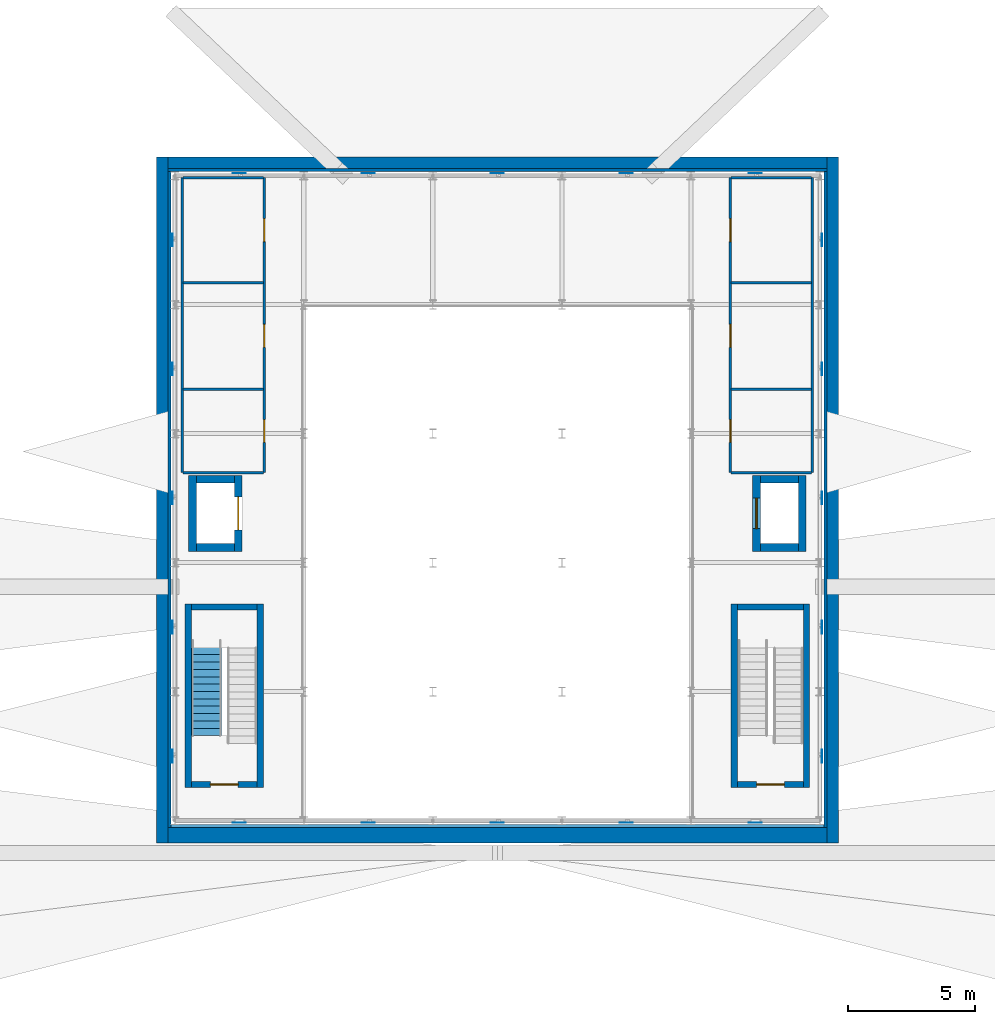
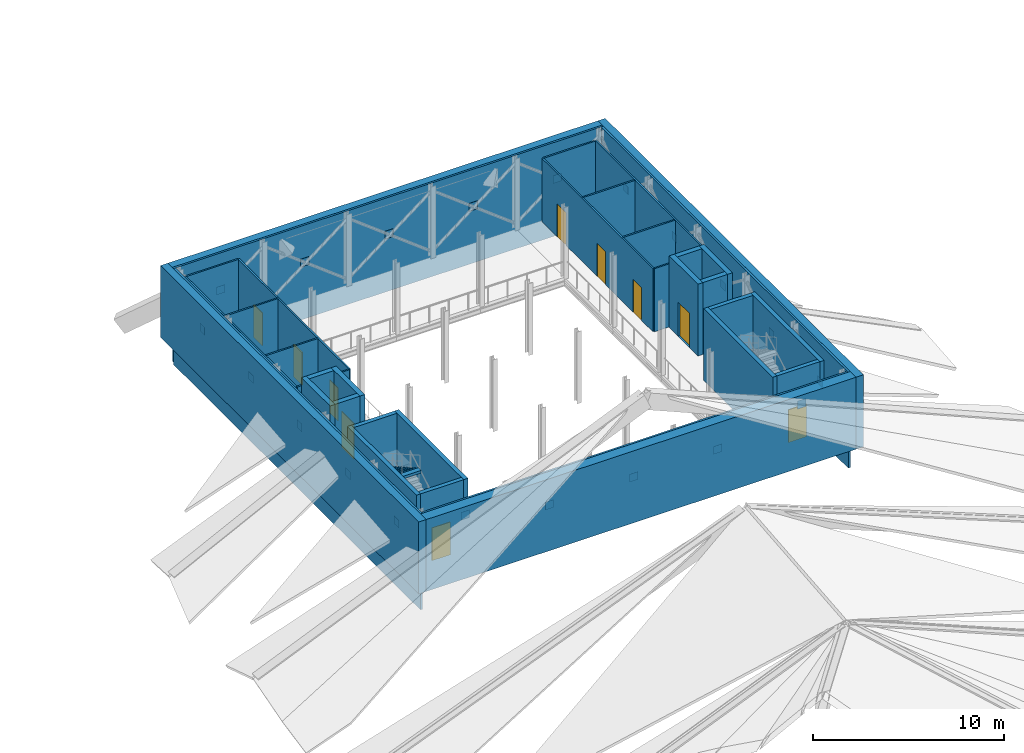
# One storey, part 5 of 7: 36 walls, 20 plates, 10 doors, 1 stair flight, 10 openings, 1 element without a shape of its own.
"""IFC4 building model written with IfcOpenShell, lengths in metres."""

from ifc_helpers import new_model, si_unit, direction, frame, frame_2d, origin, origin_2d, place, context, subcontext, project, spatial, polyline, rectangle, outline, extrude, material, layer, layer_set, type_object, element, fill, aggregate, save


model = new_model("IFC4")

# Units and contexts
model_context = context("Model", 3, precision=1e-05, world=origin(), true_north=direction((0.0, 1.0)))
body_context = subcontext(model_context, "Body", "Model", "MODEL_VIEW")
ifc_project = project(units=[si_unit("LENGTHUNIT", "METRE"), si_unit("AREAUNIT", "SQUARE_METRE"), si_unit("VOLUMEUNIT", "CUBIC_METRE"), si_unit("PLANEANGLEUNIT", "RADIAN"), si_unit("MASSUNIT", "GRAM", prefix="KILO")], contexts=[model_context])

# Site, building, storey
site_placement = place(None, origin())
site = spatial("IfcSite", under=ifc_project, at=site_placement, CompositionType="ELEMENT")
building_placement = place(site_placement, origin())
building = spatial("IfcBuilding", under=site, at=building_placement, Name="Tide Square Theatres", CompositionType="ELEMENT")
storey_placement = place(building_placement, frame((0.0, 0.0, 19.39990234375)))
storey = spatial("IfcBuildingStorey", under=building, at=storey_placement, Name="L04", CompositionType="ELEMENT", Elevation=19.39990234375)

# Plates
ifc_material_1 = material(Name="Steel ASTM A572 Grade 50", Category="steel")
ifc_layer_1 = layer(ifc_material_1, 0.010009765625)
ifc_layer_set_1 = layer_set([ifc_layer_1], Name="Steel ASTM A572 Grade 50")
plate_type = type_object("IfcPlateType", Name="Steel end plate 10 thick", PredefinedType="USERDEFINED", material=ifc_layer_set_1)
for number, where, z_axis, x_axis, name in (
    (1, (73.82080078125, 56.18896484375, 3.172607421875), (0.0, 0.0, 1.0), (0.0, -1.0, 0.0), "Fly tower brace crossing node plate"),
    (2, (78.910400390625, 56.18896484375, 2.047607421875), (0.0, 0.0, 1.0), (0.0, -1.0, 0.0), "Fly tower brace crossing node plate"),
    (3, (84.0, 56.18896484375, 2.047607421875), (0.0, 0.0, 1.0), (0.0, -1.0, 0.0), "Fly tower brace crossing node plate"),
    (4, (89.089599609375, 56.18896484375, 2.047607421875), (0.0, 0.0, 1.0), (0.0, -1.0, 0.0), "Fly tower brace crossing node plate"),
    (5, (94.17919921875, 56.18896484375, 3.172607421875), (0.0, 0.0, 1.0), (0.0, -1.0, 0.0), "Fly tower brace crossing node plate"),
    (6, (73.82080078125, 81.81103515625, 2.047607421875), (0.0, 0.0, 1.0), (0.0, 1.0, 0.0), "Fly tower brace crossing node plate"),
    (7, (78.910400390625, 81.81103515625, 2.047607421875), (0.0, 0.0, 1.0), (0.0, 1.0, 0.0), "Fly tower brace crossing node plate"),
    (8, (84.0, 81.81103515625, 2.047607421875), (0.0, 0.0, 1.0), (0.0, 1.0, 0.0), "Fly tower brace crossing node plate"),
    (9, (89.089599609375, 81.81103515625, 2.047607421875), (0.0, 0.0, 1.0), (0.0, 1.0, 0.0), "Fly tower brace crossing node plate"),
    (10, (94.17919921875, 81.81103515625, 2.047607421875), (0.0, 0.0, 1.0), (0.0, 1.0, 0.0), "Fly tower brace crossing node plate"),
    (11, (71.18896484375, 58.82080078125, 2.047607421875), (0.0, 0.0, 1.0), (-1.0, 0.0, 0.0), "Fly tower brace crossing node plate"),
    (12, (71.18896484375, 63.910400390625, 2.047607421875), (0.0, 0.0, 1.0), (-1.0, 0.0, 0.0), "Fly tower brace crossing node plate"),
    (13, (71.18896484375, 69.0, 2.047607421875), (0.0, 0.0, 1.0), (-1.0, 0.0, 0.0), "Fly tower brace crossing node plate"),
    (14, (71.18896484375, 74.089599609375, 2.047607421875), (0.0, 0.0, 1.0), (-1.0, 0.0, 0.0), "Fly tower brace crossing node plate"),
    (15, (71.18896484375, 79.17919921875, 2.047607421875), (0.0, 0.0, 1.0), (-1.0, 0.0, 0.0), "Fly tower brace crossing node plate"),
    (16, (96.81103515625, 58.82080078125, 2.047607421875), (0.0, 0.0, 1.0), (1.0, 0.0, 0.0), "Fly tower brace crossing node plate"),
    (17, (96.81103515625, 63.910400390625, 2.047607421875), (0.0, 0.0, 1.0), (1.0, 0.0, 0.0), "Fly tower brace crossing node plate"),
    (18, (96.81103515625, 69.0, 2.047607421875), (0.0, 0.0, 1.0), (1.0, 0.0, 0.0), "Fly tower brace crossing node plate"),
    (19, (96.81103515625, 74.089599609375, 2.047607421875), (0.0, 0.0, 1.0), (1.0, 0.0, 0.0), "Fly tower brace crossing node plate"),
    (20, (96.81103515625, 79.17919921875, 2.047607421875), (0.0, 0.0, 1.0), (1.0, 0.0, 0.0), "Fly tower brace crossing node plate"),
):
    element("IfcPlate", number, at=place(storey_placement, frame(where, z_axis=z_axis, x_axis=x_axis)), inside=storey, type_object=plate_type, Name=name, ObjectType="END PLATE", PredefinedType="USERDEFINED", context=body_context, shape_type="SweptSolid", body=[
        extrude(rectangle(XDim=0.010009765625, YDim=0.5048828125, at=origin_2d()), origin(), (0.0, 0.0, 1.0), 0.5048828125),
    ])

# Walls
ifc_material_2 = material(Name="Insulated metal panel, galvanised steel faces ASTM A653 SS Grade 340", Category="steel")
ifc_layer_2 = layer(ifc_material_2, 0.1201171875)
ifc_layer_set_2 = layer_set([ifc_layer_2], Name="Insulated metal panel, galvanised steel faces ASTM A653 SS Grade 340")
wall_type_1 = type_object("IfcWallType", Name="Insulated cladding wall 120 thick", PredefinedType="STANDARD", material=ifc_layer_set_2)
for number, where, z_axis, x_axis, name in (
    (21, (71.06005859375, 56.0, -1.539794921875), (0.0, 0.0, 1.0), (0.0, 1.0, 0.0), "Fly tower cladding wall"),
    (22, (96.93994140625, 56.0, -1.539794921875), (0.0, 0.0, 1.0), (0.0, 1.0, 0.0), "Fly tower cladding wall"),
):
    element("IfcWall", number, at=place(storey_placement, frame(where, z_axis=z_axis, x_axis=x_axis)), inside=storey, type_object=wall_type_1, Name=name, PredefinedType="STANDARD", context=body_context, shape_type="SweptSolid", body=[
        extrude(rectangle(XDim=25.8798828125, YDim=0.1201171875, at=frame_2d((12.93994140625, 0.0))), origin(), (0.0, 0.0, 1.0), 6.139892578125),
    ])
wall_1_placement = place(storey_placement, frame((71.1201171875, 56.06005859375, 2.7412109375), z_axis=(0.0, 0.0, 1.0), x_axis=(1.0, 0.0, 0.0)))
element("IfcWall", 23, at=wall_1_placement, inside=storey, type_object=wall_type_1, Name="Fly tower cladding wall", PredefinedType="STANDARD", context=body_context, shape_type="SweptSolid", body=[
    extrude(rectangle(XDim=25.759765625, YDim=0.1201171875, at=frame_2d((12.8798828125, 0.0))), origin(), (0.0, 0.0, 1.0), 1.85888671875),
])
wall_2_placement = place(storey_placement, frame((71.0, 81.93994140625, -1.39501953125), z_axis=(0.0, 0.0, 1.0), x_axis=(1.0, 0.0, 0.0)))
element("IfcWall", 24, at=wall_2_placement, inside=storey, type_object=wall_type_1, Name="Fly tower cladding wall", PredefinedType="STANDARD", context=body_context, shape_type="SweptSolid", body=[
    extrude(rectangle(XDim=26.0, YDim=0.1201171875, at=frame_2d((13.0, 0.0))), origin(), (0.0, 0.0, 1.0), 5.9951171875),
])
ifc_material_3 = material(Name="Gypsum board on steel studs", Category="steel")
ifc_layer_3 = layer(ifc_material_3, 0.10009765625)
ifc_layer_set_3 = layer_set([ifc_layer_3], Name="Gypsum board on steel studs")
wall_type_2 = type_object("IfcWallType", Name="Partition 100 thick", PredefinedType="PARTITIONING", material=ifc_layer_set_3)
wall_3_placement = place(storey_placement, frame((71.575927734375, 70.0, 0.0), z_axis=(0.0, 0.0, 1.0), x_axis=(0.0, 1.0, 0.0)))
element("IfcWall", 25, at=wall_3_placement, inside=storey, type_object=wall_type_2, Name="Partition", PredefinedType="PARTITIONING", context=body_context, shape_type="SweptSolid", body=[
    extrude(rectangle(XDim=11.64404296875, YDim=0.10009765625, at=frame_2d((5.822021484375, 0.0))), origin(), (0.0, 0.0, 1.0), 4.0400390625),
])

# Wall, openings, doors
wall_4_placement = place(storey_placement, frame((74.805908203125, 70.0, 0.0), z_axis=(0.0, 0.0, 1.0), x_axis=(0.0, 1.0, 0.0)))
wall_4 = element("IfcWall", 26, at=wall_4_placement, inside=storey, type_object=wall_type_2, Name="Partition", PredefinedType="PARTITIONING", context=body_context, shape_type="SweptSolid", body=[
    extrude(rectangle(XDim=11.64404296875, YDim=0.10009765625, at=frame_2d((5.822021484375, 0.0))), origin(), (0.0, 0.0, 1.0), 4.0400390625),
])
opening_1_placement = place(wall_4_placement, frame((1.199951171875, 0.0, 0.0)))
opening_1 = element("IfcOpeningElement", 27, at=opening_1_placement, cuts=wall_4, Name="Opening T04-03", PredefinedType="OPENING", context=body_context, shape_type="SweptSolid", body=[
    extrude(rectangle(XDim=0.89990234375, YDim=2.10009765625, at=frame_2d((0.449951171875, 1.050048828125))), frame((0.0, 0.06005859375, 0.0), z_axis=(0.0, -1.0, 0.0), x_axis=(1.0, 0.0, 0.0)), (0.0, 0.0, 1.0), 0.1201171875),
])
opening_2_placement = place(wall_4_placement, frame((4.949951171875, 0.0, 0.0)))
opening_2 = element("IfcOpeningElement", 28, at=opening_2_placement, cuts=wall_4, Name="Opening T04-04", PredefinedType="OPENING", context=body_context, shape_type="SweptSolid", body=[
    extrude(rectangle(XDim=0.89990234375, YDim=2.10009765625, at=frame_2d((0.449951171875, 1.050048828125))), frame((0.0, 0.06005859375, 0.0), z_axis=(0.0, -1.0, 0.0), x_axis=(1.0, 0.0, 0.0)), (0.0, 0.0, 1.0), 0.1201171875),
])
opening_3_placement = place(wall_4_placement, frame((9.1220703125, 0.0, 0.0)))
opening_3 = element("IfcOpeningElement", 29, at=opening_3_placement, cuts=wall_4, Name="Opening T04-05", PredefinedType="OPENING", context=body_context, shape_type="SweptSolid", body=[
    extrude(rectangle(XDim=0.89990234375, YDim=2.10009765625, at=frame_2d((0.449951171875, 1.050048828125))), frame((0.0, 0.06005859375, 0.0), z_axis=(0.0, -1.0, 0.0), x_axis=(1.0, 0.0, 0.0)), (0.0, 0.0, 1.0), 0.1201171875),
])
ifc_material_4 = material(Name="Hardwood timber", Category="wood")
door_type_1 = type_object("IfcDoorType", Name="Door 900 x 2100 single leaf", OperationType="NOTDEFINED", PredefinedType="DOOR", material=ifc_material_4)
door_1_placement = place(opening_1_placement, origin())
door_1 = element("IfcDoor", 30, at=door_1_placement, inside=storey, type_object=door_type_1, Name="Lighting Control Room door", OperationType="SINGLE_SWING_RIGHT", OverallHeight=2.10009765625, OverallWidth=0.89990234375, PredefinedType="DOOR", context=body_context, shape_type="SweptSolid", body=[
    extrude(rectangle(XDim=0.89990234375, YDim=2.10009765625, at=frame_2d((0.449951171875, 1.050048828125))), frame((0.0, 0.02490234375, 0.0), z_axis=(0.0, -1.0, 0.0), x_axis=(1.0, 0.0, 0.0)), (0.0, 0.0, 1.0), 0.050048828125),
])
fill(opening_1, door_1)
door_2_placement = place(opening_2_placement, origin())
door_2 = element("IfcDoor", 31, at=door_2_placement, inside=storey, type_object=door_type_1, Name="Follow-spot Room door", OperationType="SINGLE_SWING_RIGHT", OverallHeight=2.10009765625, OverallWidth=0.89990234375, PredefinedType="DOOR", context=body_context, shape_type="SweptSolid", body=[
    extrude(rectangle(XDim=0.89990234375, YDim=2.10009765625, at=frame_2d((0.449951171875, 1.050048828125))), frame((0.0, 0.02490234375, 0.0), z_axis=(0.0, -1.0, 0.0), x_axis=(1.0, 0.0, 0.0)), (0.0, 0.0, 1.0), 0.050048828125),
])
fill(opening_2, door_2)
door_3_placement = place(opening_3_placement, origin())
door_3 = element("IfcDoor", 32, at=door_3_placement, inside=storey, type_object=door_type_1, Name="Technicians' Workroom door", OperationType="SINGLE_SWING_RIGHT", OverallHeight=2.10009765625, OverallWidth=0.89990234375, PredefinedType="DOOR", context=body_context, shape_type="SweptSolid", body=[
    extrude(rectangle(XDim=0.89990234375, YDim=2.10009765625, at=frame_2d((0.449951171875, 1.050048828125))), frame((0.0, 0.02490234375, 0.0), z_axis=(0.0, -1.0, 0.0), x_axis=(1.0, 0.0, 0.0)), (0.0, 0.0, 1.0), 0.050048828125),
])
fill(opening_3, door_3)

# Walls
for number, where, z_axis, x_axis, name in (
    (33, (71.60595703125, 70.0, 0.0), (0.0, 0.0, 1.0), (1.0, 0.0, 0.0), "Partition"),
    (34, (71.60595703125, 73.300048828125, 0.0), (0.0, 0.0, 1.0), (1.0, 0.0, 0.0), "Partition"),
    (35, (71.60595703125, 77.5, 0.0), (0.0, 0.0, 1.0), (1.0, 0.0, 0.0), "Partition"),
    (36, (71.60595703125, 81.64404296875, 0.0), (0.0, 0.0, 1.0), (1.0, 0.0, 0.0), "Partition"),
):
    element("IfcWall", number, at=place(storey_placement, frame(where, z_axis=z_axis, x_axis=x_axis)), inside=storey, type_object=wall_type_2, Name=name, PredefinedType="PARTITIONING", context=body_context, shape_type="SweptSolid", body=[
        extrude(rectangle(XDim=3.169921875, YDim=0.10009765625, at=frame_2d((1.5849609375, 0.0))), origin(), (0.0, 0.0, 1.0), 4.0400390625),
    ])
wall_5_placement = place(storey_placement, frame((96.424072265625, 70.0, 0.0), z_axis=(0.0, 0.0, 1.0), x_axis=(0.0, 1.0, 0.0)))
element("IfcWall", 37, at=wall_5_placement, inside=storey, type_object=wall_type_2, Name="Partition", PredefinedType="PARTITIONING", context=body_context, shape_type="SweptSolid", body=[
    extrude(rectangle(XDim=11.64404296875, YDim=0.10009765625, at=frame_2d((5.822021484375, 0.0))), origin(), (0.0, 0.0, 1.0), 4.0400390625),
])

# Wall, openings, doors
wall_6_placement = place(storey_placement, frame((93.194091796875, 70.0, 0.0), z_axis=(0.0, 0.0, 1.0), x_axis=(0.0, 1.0, 0.0)))
wall_6 = element("IfcWall", 38, at=wall_6_placement, inside=storey, type_object=wall_type_2, Name="Partition", PredefinedType="PARTITIONING", context=body_context, shape_type="SweptSolid", body=[
    extrude(rectangle(XDim=11.64404296875, YDim=0.10009765625, at=frame_2d((5.822021484375, 0.0))), origin(), (0.0, 0.0, 1.0), 4.0400390625),
])
opening_4_placement = place(wall_6_placement, frame((1.199951171875, 0.0, 0.0)))
opening_4 = element("IfcOpeningElement", 39, at=opening_4_placement, cuts=wall_6, Name="Opening T04-06", PredefinedType="OPENING", context=body_context, shape_type="SweptSolid", body=[
    extrude(rectangle(XDim=0.89990234375, YDim=2.10009765625, at=frame_2d((0.449951171875, 1.050048828125))), frame((0.0, 0.06005859375, 0.0), z_axis=(0.0, -1.0, 0.0), x_axis=(1.0, 0.0, 0.0)), (0.0, 0.0, 1.0), 0.1201171875),
])
opening_5_placement = place(wall_6_placement, frame((4.949951171875, 0.0, 0.0)))
opening_5 = element("IfcOpeningElement", 40, at=opening_5_placement, cuts=wall_6, Name="Opening T04-07", PredefinedType="OPENING", context=body_context, shape_type="SweptSolid", body=[
    extrude(rectangle(XDim=0.89990234375, YDim=2.10009765625, at=frame_2d((0.449951171875, 1.050048828125))), frame((0.0, 0.06005859375, 0.0), z_axis=(0.0, -1.0, 0.0), x_axis=(1.0, 0.0, 0.0)), (0.0, 0.0, 1.0), 0.1201171875),
])
opening_6_placement = place(wall_6_placement, frame((9.1220703125, 0.0, 0.0)))
opening_6 = element("IfcOpeningElement", 41, at=opening_6_placement, cuts=wall_6, Name="Opening T04-08", PredefinedType="OPENING", context=body_context, shape_type="SweptSolid", body=[
    extrude(rectangle(XDim=0.89990234375, YDim=2.10009765625, at=frame_2d((0.449951171875, 1.050048828125))), frame((0.0, 0.06005859375, 0.0), z_axis=(0.0, -1.0, 0.0), x_axis=(1.0, 0.0, 0.0)), (0.0, 0.0, 1.0), 0.1201171875),
])
door_4_placement = place(opening_4_placement, frame((0.89990234375, 0.0, 0.0), z_axis=(0.0, 0.0, 1.0), x_axis=(-1.0, 0.0, 0.0)))
door_4 = element("IfcDoor", 42, at=door_4_placement, inside=storey, type_object=door_type_1, Name="Projection Room door", OperationType="SINGLE_SWING_LEFT", OverallHeight=2.10009765625, OverallWidth=0.89990234375, PredefinedType="DOOR", context=body_context, shape_type="SweptSolid", body=[
    extrude(rectangle(XDim=0.89990234375, YDim=2.10009765625, at=frame_2d((0.449951171875, 1.050048828125))), frame((0.0, 0.02490234375, 0.0), z_axis=(0.0, -1.0, 0.0), x_axis=(1.0, 0.0, 0.0)), (0.0, 0.0, 1.0), 0.050048828125),
])
fill(opening_4, door_4)
door_5_placement = place(opening_5_placement, frame((0.89990234375, 0.0, 0.0), z_axis=(0.0, 0.0, 1.0), x_axis=(-1.0, 0.0, 0.0)))
door_5 = element("IfcDoor", 43, at=door_5_placement, inside=storey, type_object=door_type_1, Name="Stage Electrics Room door", OperationType="SINGLE_SWING_LEFT", OverallHeight=2.10009765625, OverallWidth=0.89990234375, PredefinedType="DOOR", context=body_context, shape_type="SweptSolid", body=[
    extrude(rectangle(XDim=0.89990234375, YDim=2.10009765625, at=frame_2d((0.449951171875, 1.050048828125))), frame((0.0, 0.02490234375, 0.0), z_axis=(0.0, -1.0, 0.0), x_axis=(1.0, 0.0, 0.0)), (0.0, 0.0, 1.0), 0.050048828125),
])
fill(opening_5, door_5)
door_6_placement = place(opening_6_placement, frame((0.89990234375, 0.0, 0.0), z_axis=(0.0, 0.0, 1.0), x_axis=(-1.0, 0.0, 0.0)))
door_6 = element("IfcDoor", 44, at=door_6_placement, inside=storey, type_object=door_type_1, Name="Flymen's Workroom door", OperationType="SINGLE_SWING_LEFT", OverallHeight=2.10009765625, OverallWidth=0.89990234375, PredefinedType="DOOR", context=body_context, shape_type="SweptSolid", body=[
    extrude(rectangle(XDim=0.89990234375, YDim=2.10009765625, at=frame_2d((0.449951171875, 1.050048828125))), frame((0.0, 0.02490234375, 0.0), z_axis=(0.0, -1.0, 0.0), x_axis=(1.0, 0.0, 0.0)), (0.0, 0.0, 1.0), 0.050048828125),
])
fill(opening_6, door_6)

# Walls
for number, where, z_axis, x_axis, name in (
    (45, (96.384033203125, 70.0, 0.0), (0.0, 0.0, 1.0), (-1.0, 0.0, 0.0), "Partition"),
    (46, (96.384033203125, 73.300048828125, 0.0), (0.0, 0.0, 1.0), (-1.0, 0.0, 0.0), "Partition"),
    (47, (96.384033203125, 77.5, 0.0), (0.0, 0.0, 1.0), (-1.0, 0.0, 0.0), "Partition"),
    (48, (96.384033203125, 81.64404296875, 0.0), (0.0, 0.0, 1.0), (-1.0, 0.0, 0.0), "Partition"),
):
    element("IfcWall", number, at=place(storey_placement, frame(where, z_axis=z_axis, x_axis=x_axis)), inside=storey, type_object=wall_type_2, Name=name, PredefinedType="PARTITIONING", context=body_context, shape_type="SweptSolid", body=[
        extrude(rectangle(XDim=3.159912109375, YDim=0.10009765625, at=frame_2d((1.580078125, 0.0))), origin(), (0.0, 0.0, 1.0), 4.0400390625),
    ])
ifc_material_5 = material(Name="Concrete C40", Category="concrete")
ifc_layer_4 = layer(ifc_material_5, 0.449951171875)
ifc_layer_set_4 = layer_set([ifc_layer_4], Name="Concrete C40")
wall_type_3 = type_object("IfcWallType", Name="RC curved wall 450 thick", PredefinedType="SOLIDWALL", material=ifc_layer_set_4)
for number, where, z_axis, x_axis, name in (
    (49, (70.77490234375, 55.39990234375, 0.0), (0.0, 0.0, 1.0), (0.0, 1.0, 0.0), "Stage house wall"),
    (50, (97.22509765625, 55.39990234375, 0.0), (0.0, 0.0, 1.0), (0.0, 1.0, 0.0), "Stage house wall"),
):
    element("IfcWall", number, at=place(storey_placement, frame(where, z_axis=z_axis, x_axis=x_axis)), inside=storey, type_object=wall_type_3, Name=name, PredefinedType="SOLIDWALL", context=body_context, shape_type="SweptSolid", body=[
        extrude(rectangle(XDim=27.050048828125, YDim=0.449951171875, at=frame_2d((13.52490234375, 0.0))), origin(), (0.0, 0.0, 1.0), 4.60009765625),
    ])
wall_7_placement = place(storey_placement, frame((71.0, 82.22509765625, 0.0), z_axis=(0.0, 0.0, 1.0), x_axis=(1.0, 0.0, 0.0)))
element("IfcWall", 51, at=wall_7_placement, inside=storey, type_object=wall_type_3, Name="Stage house rear wall", PredefinedType="SOLIDWALL", context=body_context, shape_type="SweptSolid", body=[
    extrude(rectangle(XDim=26.0, YDim=0.449951171875, at=frame_2d((13.0, 0.0))), origin(), (0.0, 0.0, 1.0), 4.60009765625),
])
ifc_material_6 = material(Name="Concrete C40", Category="concrete")
ifc_layer_5 = layer(ifc_material_6, 0.25)
ifc_layer_set_5 = layer_set([ifc_layer_5], Name="Concrete C40")
wall_type_4 = type_object("IfcWallType", Name="RC shear wall 250 thick", PredefinedType="SHEAR", material=ifc_layer_set_5)
for number, where, z_axis, x_axis, name in (
    (52, (74.65087890625, 57.575927734375, 0.0), (0.0, 0.0, 1.0), (0.0, 1.0, 0.0), "Fly Tower west stair shaft wall"),
    (53, (71.801025390625, 64.825927734375, 0.0), (0.0, 0.0, 1.0), (0.0, -1.0, 0.0), "Fly Tower west stair shaft wall"),
):
    element("IfcWall", number, at=place(storey_placement, frame(where, z_axis=z_axis, x_axis=x_axis)), inside=storey, type_object=wall_type_4, Name=name, PredefinedType="SHEAR", context=body_context, shape_type="SweptSolid", body=[
        extrude(rectangle(XDim=7.25, YDim=0.25, at=frame_2d((3.625, 0.0))), origin(), (0.0, 0.0, 1.0), 4.60009765625),
    ])
wall_8_placement = place(storey_placement, frame((71.926025390625, 64.700927734375, 0.0), z_axis=(0.0, 0.0, 1.0), x_axis=(1.0, 0.0, 0.0)))
element("IfcWall", 54, at=wall_8_placement, inside=storey, type_object=wall_type_4, Name="Fly Tower west stair shaft wall", PredefinedType="SHEAR", context=body_context, shape_type="SweptSolid", body=[
    extrude(rectangle(XDim=2.599853515625, YDim=0.25, at=frame_2d((1.2998046875, 0.0))), origin(), (0.0, 0.0, 1.0), 4.60009765625),
])

# Wall, opening, door
wall_9_placement = place(storey_placement, frame((74.52587890625, 57.700927734375, 0.0), z_axis=(0.0, 0.0, 1.0), x_axis=(-1.0, 0.0, 0.0)))
wall_9 = element("IfcWall", 55, at=wall_9_placement, inside=storey, type_object=wall_type_4, Name="Fly Tower west stair shaft wall", PredefinedType="SHEAR", context=body_context, shape_type="SweptSolid", body=[
    extrude(rectangle(XDim=2.599853515625, YDim=0.25, at=frame_2d((1.2998046875, 0.0))), origin(), (0.0, 0.0, 1.0), 4.60009765625),
])
opening_7_placement = place(wall_9_placement, frame((0.75, 0.0, 0.0)))
opening_7 = element("IfcOpeningElement", 56, at=opening_7_placement, cuts=wall_9, Name="Opening T04-01", PredefinedType="OPENING", context=body_context, shape_type="SweptSolid", body=[
    extrude(rectangle(XDim=1.10009765625, YDim=2.10009765625, at=frame_2d((0.550048828125, 1.050048828125))), frame((0.0, 0.135009765625, 0.0), z_axis=(0.0, -1.0, 0.0), x_axis=(1.0, 0.0, 0.0)), (0.0, 0.0, 1.0), 0.27001953125),
])
ifc_material_7 = material(Name="Painted steel", Category="steel")
door_type_2 = type_object("IfcDoorType", Name="Door 1100 x 2100 single leaf", OperationType="NOTDEFINED", PredefinedType="DOOR", material=ifc_material_7)
door_7_placement = place(opening_7_placement, origin())
door_7 = element("IfcDoor", 57, at=door_7_placement, inside=storey, type_object=door_type_2, Name="Fly Tower west stair stair door", OperationType="SINGLE_SWING_RIGHT", OverallHeight=2.10009765625, OverallWidth=1.10009765625, PredefinedType="DOOR", context=body_context, shape_type="SweptSolid", body=[
    extrude(rectangle(XDim=1.10009765625, YDim=2.10009765625, at=frame_2d((0.550048828125, 1.050048828125))), frame((0.0, 0.02490234375, 0.0), z_axis=(0.0, -1.0, 0.0), x_axis=(1.0, 0.0, 0.0)), (0.0, 0.0, 1.0), 0.050048828125),
])
fill(opening_7, door_7)

# Walls
for number, where, z_axis, x_axis, name in (
    (58, (96.198974609375, 57.575927734375, 0.0), (0.0, 0.0, 1.0), (0.0, 1.0, 0.0), "Fly Tower east stair shaft wall"),
    (59, (93.34912109375, 64.825927734375, 0.0), (0.0, 0.0, 1.0), (0.0, -1.0, 0.0), "Fly Tower east stair shaft wall"),
):
    element("IfcWall", number, at=place(storey_placement, frame(where, z_axis=z_axis, x_axis=x_axis)), inside=storey, type_object=wall_type_4, Name=name, PredefinedType="SHEAR", context=body_context, shape_type="SweptSolid", body=[
        extrude(rectangle(XDim=7.25, YDim=0.25, at=frame_2d((3.625, 0.0))), origin(), (0.0, 0.0, 1.0), 4.60009765625),
    ])
wall_10_placement = place(storey_placement, frame((93.47412109375, 64.700927734375, 0.0), z_axis=(0.0, 0.0, 1.0), x_axis=(1.0, 0.0, 0.0)))
element("IfcWall", 60, at=wall_10_placement, inside=storey, type_object=wall_type_4, Name="Fly Tower east stair shaft wall", PredefinedType="SHEAR", context=body_context, shape_type="SweptSolid", body=[
    extrude(rectangle(XDim=2.599853515625, YDim=0.25, at=frame_2d((1.2998046875, 0.0))), origin(), (0.0, 0.0, 1.0), 4.60009765625),
])

# Wall, opening, door
wall_11_placement = place(storey_placement, frame((96.073974609375, 57.700927734375, 0.0), z_axis=(0.0, 0.0, 1.0), x_axis=(-1.0, 0.0, 0.0)))
wall_11 = element("IfcWall", 61, at=wall_11_placement, inside=storey, type_object=wall_type_4, Name="Fly Tower east stair shaft wall", PredefinedType="SHEAR", context=body_context, shape_type="SweptSolid", body=[
    extrude(rectangle(XDim=2.599853515625, YDim=0.25, at=frame_2d((1.2998046875, 0.0))), origin(), (0.0, 0.0, 1.0), 4.60009765625),
])
opening_8_placement = place(wall_11_placement, frame((0.75, 0.0, 0.0)))
opening_8 = element("IfcOpeningElement", 62, at=opening_8_placement, cuts=wall_11, Name="Opening T04-02", PredefinedType="OPENING", context=body_context, shape_type="SweptSolid", body=[
    extrude(rectangle(XDim=1.10009765625, YDim=2.10009765625, at=frame_2d((0.550048828125, 1.050048828125))), frame((0.0, 0.135009765625, 0.0), z_axis=(0.0, -1.0, 0.0), x_axis=(1.0, 0.0, 0.0)), (0.0, 0.0, 1.0), 0.27001953125),
])
door_8_placement = place(opening_8_placement, origin())
door_8 = element("IfcDoor", 63, at=door_8_placement, inside=storey, type_object=door_type_2, Name="Fly Tower east stair stair door", OperationType="SINGLE_SWING_RIGHT", OverallHeight=2.10009765625, OverallWidth=1.10009765625, PredefinedType="DOOR", context=body_context, shape_type="SweptSolid", body=[
    extrude(rectangle(XDim=1.10009765625, YDim=2.10009765625, at=frame_2d((0.550048828125, 1.050048828125))), frame((0.0, 0.02490234375, 0.0), z_axis=(0.0, -1.0, 0.0), x_axis=(1.0, 0.0, 0.0)), (0.0, 0.0, 1.0), 0.050048828125),
])
fill(opening_8, door_8)

# Walls
ifc_material_8 = material(Name="Concrete C40", Category="concrete")
ifc_layer_6 = layer(ifc_material_8, 0.300048828125)
ifc_layer_set_6 = layer_set([ifc_layer_6], Name="Concrete C40")
wall_type_5 = type_object("IfcWallType", Name="RC shear wall 300 thick", PredefinedType="SHEAR", material=ifc_layer_set_6)
for number, where, z_axis, x_axis, name in (
    (64, (72.1259765625, 67.050048828125, 0.0), (0.0, 0.0, 1.0), (1.0, 0.0, 0.0), "Fly Tower lift 11 shaft wall"),
    (65, (73.6259765625, 69.75, 0.0), (0.0, 0.0, 1.0), (-1.0, 0.0, 0.0), "Fly Tower lift 11 shaft wall"),
):
    element("IfcWall", number, at=place(storey_placement, frame(where, z_axis=z_axis, x_axis=x_axis)), inside=storey, type_object=wall_type_5, Name=name, PredefinedType="SHEAR", context=body_context, shape_type="SweptSolid", body=[
        extrude(rectangle(XDim=1.5, YDim=0.300048828125, at=frame_2d((0.75, 0.0))), origin(), (0.0, 0.0, 1.0), 4.60009765625),
    ])
wall_12_placement = place(storey_placement, frame((71.97607421875, 66.89990234375, 0.0), z_axis=(0.0, 0.0, 1.0), x_axis=(0.0, 1.0, 0.0)))
element("IfcWall", 66, at=wall_12_placement, inside=storey, type_object=wall_type_5, Name="Fly Tower lift 11 shaft wall", PredefinedType="SHEAR", context=body_context, shape_type="SweptSolid", body=[
    extrude(rectangle(XDim=3.0, YDim=0.300048828125, at=frame_2d((1.5, 0.0))), origin(), (0.0, 0.0, 1.0), 4.60009765625),
])

# Wall, opening, door
wall_13_placement = place(storey_placement, frame((73.77587890625, 66.89990234375, 0.0), z_axis=(0.0, 0.0, 1.0), x_axis=(0.0, 1.0, 0.0)))
wall_13 = element("IfcWall", 67, at=wall_13_placement, inside=storey, type_object=wall_type_5, Name="Fly Tower lift 11 shaft wall", PredefinedType="SHEAR", context=body_context, shape_type="SweptSolid", body=[
    extrude(rectangle(XDim=3.0, YDim=0.300048828125, at=frame_2d((1.5, 0.0))), origin(), (0.0, 0.0, 1.0), 4.60009765625),
])
opening_9_placement = place(wall_13_placement, frame((0.85009765625, 0.0, 0.0)))
opening_9 = element("IfcOpeningElement", 68, at=opening_9_placement, cuts=wall_13, Name="Opening LD-T11-4", PredefinedType="OPENING", context=body_context, shape_type="SweptSolid", body=[
    extrude(rectangle(XDim=1.300048828125, YDim=2.300048828125, at=frame_2d((0.64990234375, 1.14990234375))), frame((0.0, 0.159912109375, 0.0), z_axis=(0.0, -1.0, 0.0), x_axis=(1.0, 0.0, 0.0)), (0.0, 0.0, 1.0), 0.320068359375),
])
ifc_material_9 = material(Name="Painted steel", Category="steel")
door_type_3 = type_object("IfcDoorType", Name="Door 1300 x 2300 sliding", OperationType="SLIDING_TO_LEFT", PredefinedType="DOOR", material=ifc_material_9)
door_9_placement = place(opening_9_placement, origin())
door_9 = element("IfcDoor", 69, at=door_9_placement, inside=storey, type_object=door_type_3, Name="Fly Tower Stretcher lift 1000 kg landing door L04", OperationType="SLIDING_TO_LEFT", OverallHeight=2.300048828125, OverallWidth=1.300048828125, PredefinedType="DOOR", context=body_context, shape_type="SweptSolid", body=[
    extrude(rectangle(XDim=1.300048828125, YDim=2.300048828125, at=frame_2d((0.64990234375, 1.14990234375))), frame((0.0, 0.02490234375, 0.0), z_axis=(0.0, -1.0, 0.0), x_axis=(1.0, 0.0, 0.0)), (0.0, 0.0, 1.0), 0.050048828125),
])
fill(opening_9, door_9)

# Walls
for number, where, z_axis, x_axis, name in (
    (70, (94.3740234375, 67.050048828125, 0.0), (0.0, 0.0, 1.0), (1.0, 0.0, 0.0), "Fly Tower lift 12 shaft wall"),
    (71, (95.8740234375, 69.75, 0.0), (0.0, 0.0, 1.0), (-1.0, 0.0, 0.0), "Fly Tower lift 12 shaft wall"),
):
    element("IfcWall", number, at=place(storey_placement, frame(where, z_axis=z_axis, x_axis=x_axis)), inside=storey, type_object=wall_type_5, Name=name, PredefinedType="SHEAR", context=body_context, shape_type="SweptSolid", body=[
        extrude(rectangle(XDim=1.5, YDim=0.300048828125, at=frame_2d((0.75, 0.0))), origin(), (0.0, 0.0, 1.0), 4.60009765625),
    ])

# Wall, opening, door
wall_14_placement = place(storey_placement, frame((94.22412109375, 66.89990234375, 0.0), z_axis=(0.0, 0.0, 1.0), x_axis=(0.0, 1.0, 0.0)))
wall_14 = element("IfcWall", 72, at=wall_14_placement, inside=storey, type_object=wall_type_5, Name="Fly Tower lift 12 shaft wall", PredefinedType="SHEAR", context=body_context, shape_type="SweptSolid", body=[
    extrude(rectangle(XDim=3.0, YDim=0.300048828125, at=frame_2d((1.5, 0.0))), origin(), (0.0, 0.0, 1.0), 4.60009765625),
])
opening_10_placement = place(wall_14_placement, frame((0.89990234375, 0.0, 0.0)))
opening_10 = element("IfcOpeningElement", 73, at=opening_10_placement, cuts=wall_14, Name="Opening LD-T12-4", PredefinedType="OPENING", context=body_context, shape_type="SweptSolid", body=[
    extrude(rectangle(XDim=1.199951171875, YDim=2.199951171875, at=frame_2d((0.60009765625, 1.10009765625))), frame((0.0, 0.159912109375, 0.0), z_axis=(0.0, -1.0, 0.0), x_axis=(1.0, 0.0, 0.0)), (0.0, 0.0, 1.0), 0.320068359375),
])
ifc_material_10 = material(Name="Painted steel", Category="steel")
door_type_4 = type_object("IfcDoorType", Name="Door 1200 x 2200 sliding", OperationType="SLIDING_TO_LEFT", PredefinedType="DOOR", material=ifc_material_10)
door_10_placement = place(opening_10_placement, origin())
door_10 = element("IfcDoor", 74, at=door_10_placement, inside=storey, type_object=door_type_4, Name="Fly Tower Passenger lift 800 kg landing door L04", OperationType="SLIDING_TO_LEFT", OverallHeight=2.199951171875, OverallWidth=1.199951171875, PredefinedType="DOOR", context=body_context, shape_type="SweptSolid", body=[
    extrude(rectangle(XDim=1.199951171875, YDim=2.199951171875, at=frame_2d((0.60009765625, 1.10009765625))), frame((0.0, 0.02490234375, 0.0), z_axis=(0.0, -1.0, 0.0), x_axis=(1.0, 0.0, 0.0)), (0.0, 0.0, 1.0), 0.050048828125),
])
fill(opening_10, door_10)

# Walls
wall_15_placement = place(storey_placement, frame((96.02392578125, 66.89990234375, 0.0), z_axis=(0.0, 0.0, 1.0), x_axis=(0.0, 1.0, 0.0)))
element("IfcWall", 75, at=wall_15_placement, inside=storey, type_object=wall_type_5, Name="Fly Tower lift 12 shaft wall", PredefinedType="SHEAR", context=body_context, shape_type="SweptSolid", body=[
    extrude(rectangle(XDim=3.0, YDim=0.300048828125, at=frame_2d((1.5, 0.0))), origin(), (0.0, 0.0, 1.0), 4.60009765625),
])
ifc_material_11 = material(Name="Concrete C40", Category="concrete")
ifc_layer_7 = layer(ifc_material_11, 0.60009765625)
ifc_layer_set_7 = layer_set([ifc_layer_7], Name="Concrete C40")
wall_type_6 = type_object("IfcWallType", Name="RC shear wall 600 thick", PredefinedType="SHEAR", material=ifc_layer_set_7)
wall_16_placement = place(storey_placement, frame((71.0, 55.699951171875, 0.0), z_axis=(0.0, 0.0, 1.0), x_axis=(1.0, 0.0, 0.0)))
element("IfcWall", 76, at=wall_16_placement, inside=storey, type_object=wall_type_6, Name="Proscenium wall", PredefinedType="SHEAR", context=body_context, shape_type="SweptSolid", body=[
    extrude(rectangle(XDim=26.0, YDim=0.60009765625, at=frame_2d((13.0, 0.0))), origin(), (0.0, 0.0, 1.0), 4.60009765625),
])

# Stair, stair flight
ifc_material_12 = material(Name="Concrete C35", Category="concrete")
stair_type = type_object("IfcStairType", Name="Stair half turn 1200 wide, 28 risers, rise 4600", PredefinedType="HALF_TURN_STAIR", material=ifc_material_12)
stair_placement = place(storey_placement, origin())
stair = element("IfcStair", 77, at=stair_placement, inside=storey, type_object=stair_type, Name="Fly Tower west stair", PredefinedType="HALF_TURN_STAIR")
ifc_material_13 = material(Name="Concrete C35", Category="concrete")
stair_flight_type = type_object("IfcStairFlightType", Name="Flight 1200 wide 14 risers rise 4600", PredefinedType="STRAIGHT", material=ifc_material_13)
stair_flight_placement = place(storey_placement, frame((72.52587890625, 63.400390625, 2.300048828125), z_axis=(0.0, 0.0, 1.0), x_axis=(0.0, -1.0, 0.0)))
stair_flight = element("IfcStairFlight", 78, at=stair_flight_placement, type_object=stair_flight_type, Name="ST-1200-4600 flight 2", NumberOfRisers=14, NumberOfTreads=13, PredefinedType="STRAIGHT", RiserHeight=0.164285714, TreadLength=0.29, context=body_context, shape_type="SweptSolid", body=[
    extrude(outline(polyline([(0.0, 0.0), (0.0, 0.164306640625), (0.2900390625, 0.164306640625), (0.2900390625, 0.32861328125), (0.580078125, 0.32861328125), (0.580078125, 0.492919921875), (0.8701171875, 0.492919921875), (0.8701171875, 0.6572265625), (1.159912109375, 0.6572265625), (1.159912109375, 0.821533203125), (1.449951171875, 0.821533203125), (1.449951171875, 0.985595703125), (1.739990234375, 0.985595703125), (1.739990234375, 1.14990234375), (2.030029296875, 1.14990234375), (2.030029296875, 1.314208984375), (2.320068359375, 1.314208984375), (2.320068359375, 1.478515625), (2.610107421875, 1.478515625), (2.610107421875, 1.642822265625), (2.89990234375, 1.642822265625), (2.89990234375, 1.80712890625), (3.18994140625, 1.80712890625), (3.18994140625, 1.971435546875), (3.47998046875, 1.971435546875), (3.47998046875, 2.1357421875), (3.77001953125, 2.1357421875), (3.77001953125, 2.300048828125), (3.77001953125, 1.96337890625), (0.30419921875, 0.0), (0.0, 0.0)])), frame((0.0, 0.60009765625, 0.0), z_axis=(0.0, -1.0, 0.0), x_axis=(1.0, 0.0, 0.0)), (0.0, 0.0, 1.0), 1.199951171875),
])
aggregate(stair, [stair_flight])

save(model, "model.ifc")
